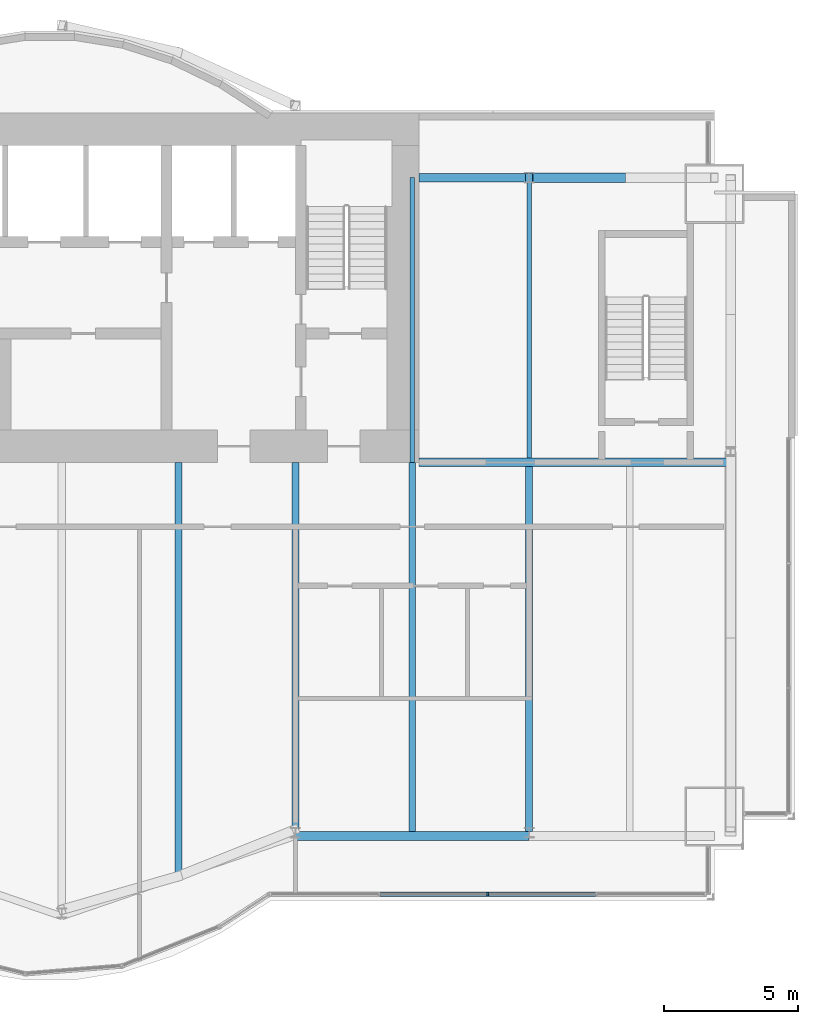
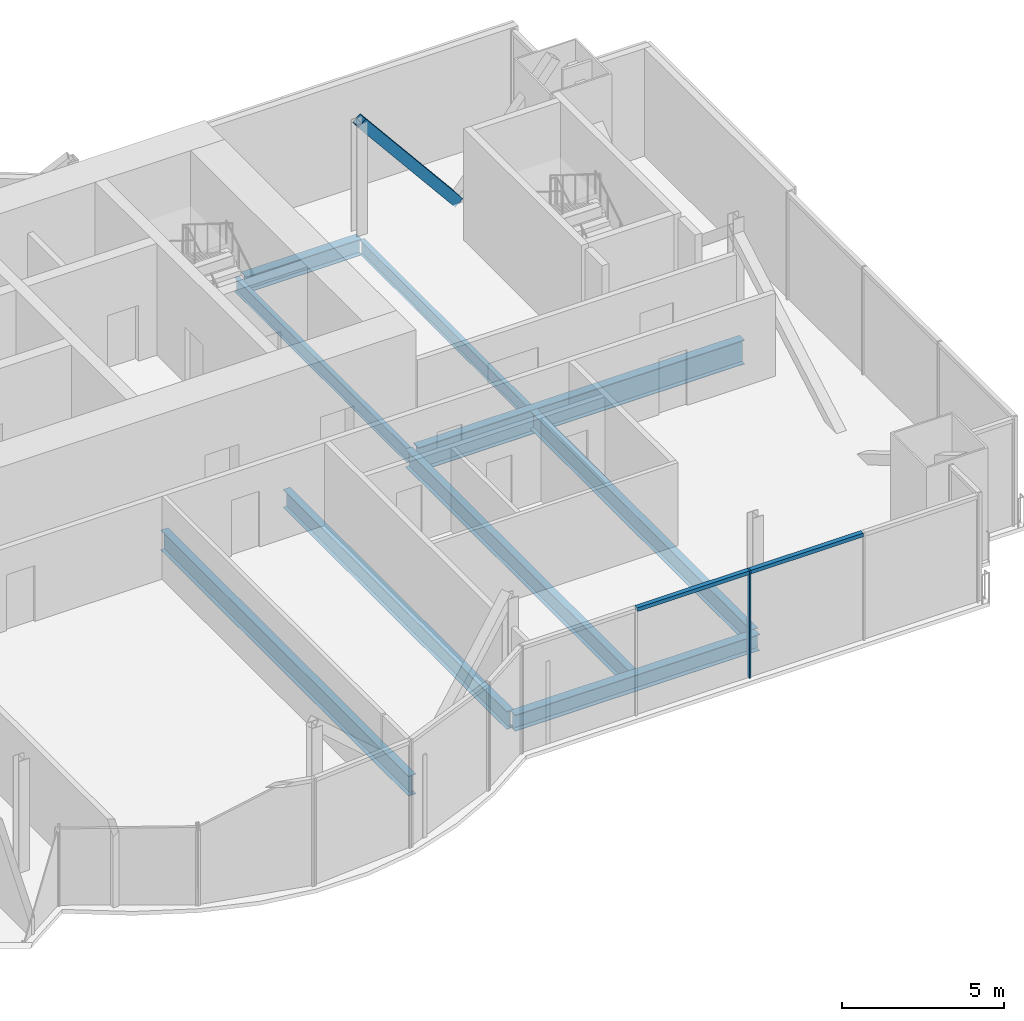
# One storey, part 9 of 19: 9 beams, 4 members, 1 element without a shape of its own.
"""IFC4 building model written with IfcOpenShell, lengths in metres."""

from ifc_helpers import new_model, si_unit, direction, frame, origin, origin_2d, place, context, subcontext, project, spatial, rectangle, hollow_rectangle, i_section, extrude, material, material_profile, profile_set, type_object, element, aggregate, save


model = new_model("IFC4")

# Units and contexts
model_context = context("Model", 3, precision=1e-05, world=origin(), true_north=direction((0.0, 1.0)))
body_context = subcontext(model_context, "Body", "Model", "MODEL_VIEW")
ifc_project = project(units=[si_unit("LENGTHUNIT", "METRE"), si_unit("AREAUNIT", "SQUARE_METRE"), si_unit("VOLUMEUNIT", "CUBIC_METRE"), si_unit("PLANEANGLEUNIT", "RADIAN"), si_unit("MASSUNIT", "GRAM", prefix="KILO")], contexts=[model_context])

# Site, building, storey
site_placement = place(None, origin())
site = spatial("IfcSite", under=ifc_project, at=site_placement, CompositionType="ELEMENT")
building_placement = place(site_placement, origin())
building = spatial("IfcBuilding", under=site, at=building_placement, Name="Bicima Exchange Tower", CompositionType="ELEMENT")
storey_placement = place(building_placement, frame((0.0, 0.0, 258.199951171875)))
storey = spatial("IfcBuildingStorey", under=building, at=storey_placement, Name="L58", CompositionType="ELEMENT", Elevation=258.199951171875)

# Beams
ifc_material_1 = material(Name="Steel ASTM A992 Gr 50", Category="steel")
ifc_material_profile_1 = material_profile(ifc_material_1, i_section(OverallWidth=0.3046875, OverallDepth=0.911865234375, WebThickness=0.015869140625, FlangeThickness=0.02392578125, at=origin_2d()))
ifc_profile_set_1 = profile_set([ifc_material_profile_1], Name="Steel ASTM A992 Gr 50")
beam_type_1 = type_object("IfcBeamType", Name="Core-line girder W36x150", PredefinedType="BEAM", material=ifc_profile_set_1)
beam_1_placement = place(storey_placement, frame((22.0, -13.0, -0.60595703125), z_axis=(1.0, 0.0, 0.0), x_axis=(0.0, 1.0, 0.0)))
element("IfcBeam", 1, at=beam_1_placement, inside=storey, type_object=beam_type_1, Name="Core-line girder", PredefinedType="BEAM", context=body_context, shape_type="SweptSolid", body=[
    extrude(i_section(OverallWidth=0.3046875, OverallDepth=0.911865234375, WebThickness=0.015869140625, FlangeThickness=0.02392578125, at=origin_2d()), origin(), (0.0, 0.0, 1.0), 11.60009765625),
])
ifc_material_profile_2 = material_profile(ifc_material_1, i_section(OverallWidth=0.165771484375, OverallDepth=0.5283203125, WebThickness=0.009765625, FlangeThickness=0.013671875, at=origin_2d()))
ifc_profile_set_2 = profile_set([ifc_material_profile_2], Name="Steel ASTM A992 Gr 50")
beam_type_2 = type_object("IfcBeamType", Name="Floor beam W21x50", PredefinedType="JOIST", material=ifc_profile_set_2)
beam_2_placement = place(storey_placement, frame((21.75, -2.39990234375, -0.4140625), z_axis=(0.0, -1.0, 0.0), x_axis=(1.0, 0.0, 0.0)))
element("IfcBeam", 2, at=beam_2_placement, inside=storey, type_object=beam_type_2, Name="Floor beam", PredefinedType="JOIST", context=body_context, shape_type="SweptSolid", body=[
    extrude(i_section(OverallWidth=0.165771484375, OverallDepth=0.5283203125, WebThickness=0.009765625, FlangeThickness=0.013671875, at=origin_2d()), origin(), (0.0, 0.0, 1.0), 10.60009765625),
])
beam_3_placement = place(storey_placement, frame((26.10009765625, -2.5625, -0.4140625), z_axis=(0.0, -1.0, 0.0), x_axis=(1.0, 0.0, 0.0)))
element("IfcBeam", 3, at=beam_3_placement, inside=storey, type_object=beam_type_2, Name="Floor beam", PredefinedType="JOIST", context=body_context, shape_type="SweptSolid", body=[
    extrude(i_section(OverallWidth=0.165771484375, OverallDepth=0.5283203125, WebThickness=0.009765625, FlangeThickness=0.013671875, at=origin_2d()), origin(), (0.0, 0.0, 1.0), 10.28515625),
])
ifc_material_profile_3 = material_profile(ifc_material_1, i_section(OverallWidth=0.25390625, OverallDepth=0.67822265625, WebThickness=0.01171875, FlangeThickness=0.016357421875, at=origin_2d()))
ifc_profile_set_3 = profile_set([ifc_material_profile_3], Name="Steel ASTM A992 Gr 50")
beam_type_3 = type_object("IfcBeamType", Name="Floor beam W27x84", PredefinedType="JOIST", material=ifc_profile_set_3)
beam_4_placement = place(storey_placement, frame((17.39990234375, -13.0, -0.489013671875), z_axis=(0.0, -1.0, 0.0), x_axis=(1.0, 0.0, 0.0)))
element("IfcBeam", 4, at=beam_4_placement, inside=storey, type_object=beam_type_3, Name="Floor beam", PredefinedType="JOIST", context=body_context, shape_type="SweptSolid", body=[
    extrude(i_section(OverallWidth=0.25390625, OverallDepth=0.67822265625, WebThickness=0.01171875, FlangeThickness=0.016357421875, at=origin_2d()), origin(), (0.0, 0.0, 1.0), 13.7763671875),
])
beam_5_placement = place(storey_placement, frame((21.75, -13.0, -0.489013671875), z_axis=(0.0, -1.0, 0.0), x_axis=(1.0, 0.0, 0.0)))
element("IfcBeam", 5, at=beam_5_placement, inside=storey, type_object=beam_type_3, Name="Floor beam", PredefinedType="JOIST", context=body_context, shape_type="SweptSolid", body=[
    extrude(i_section(OverallWidth=0.25390625, OverallDepth=0.67822265625, WebThickness=0.01171875, FlangeThickness=0.016357421875, at=origin_2d()), origin(), (0.0, 0.0, 1.0), 13.74951171875),
])
beam_6_placement = place(storey_placement, frame((26.10009765625, -13.15234375, -0.489013671875), z_axis=(0.0, -1.0, 0.0), x_axis=(1.0, 0.0, 0.0)))
element("IfcBeam", 6, at=beam_6_placement, inside=storey, type_object=beam_type_3, Name="Floor beam", PredefinedType="JOIST", context=body_context, shape_type="SweptSolid", body=[
    extrude(i_section(OverallWidth=0.25390625, OverallDepth=0.67822265625, WebThickness=0.01171875, FlangeThickness=0.016357421875, at=origin_2d()), origin(), (0.0, 0.0, 1.0), 13.59716796875),
])
ifc_material_profile_4 = material_profile(ifc_material_1, i_section(OverallWidth=0.2666015625, OverallDepth=0.75439453125, WebThickness=0.01318359375, FlangeThickness=0.01708984375, at=origin_2d()))
ifc_profile_set_4 = profile_set([ifc_material_profile_4], Name="Steel ASTM A992 Gr 50")
beam_type_4 = type_object("IfcBeamType", Name="Floor beam W30x99", PredefinedType="JOIST", material=ifc_profile_set_4)
beam_7_placement = place(storey_placement, frame((13.050048828125, -13.0, -0.527099609375), z_axis=(0.0, -1.0, 0.0), x_axis=(1.0, 0.0, 0.0)))
element("IfcBeam", 7, at=beam_7_placement, inside=storey, type_object=beam_type_4, Name="Floor beam", PredefinedType="JOIST", context=body_context, shape_type="SweptSolid", body=[
    extrude(i_section(OverallWidth=0.2666015625, OverallDepth=0.75439453125, WebThickness=0.01318359375, FlangeThickness=0.01708984375, at=origin_2d()), origin(), (0.0, 0.0, 1.0), 15.27197265625),
])
ifc_material_profile_5 = material_profile(ifc_material_1, i_section(OverallWidth=0.3251953125, OverallDepth=0.612060546875, WebThickness=0.0126953125, FlangeThickness=0.01904296875, at=origin_2d()))
ifc_profile_set_5 = profile_set([ifc_material_profile_5], Name="Steel ASTM A992 Gr 50")
beam_type_5 = type_object("IfcBeamType", Name="Front girder W24x104", PredefinedType="BEAM", material=ifc_profile_set_5)
beam_8_placement = place(storey_placement, frame((17.39990234375, -26.912109375, -0.4560546875), z_axis=(1.0, 0.0, 0.0), x_axis=(0.0, 1.0, 0.0)))
element("IfcBeam", 8, at=beam_8_placement, inside=storey, type_object=beam_type_5, Name="Front girder", PredefinedType="BEAM", context=body_context, shape_type="SweptSolid", body=[
    extrude(i_section(OverallWidth=0.3251953125, OverallDepth=0.612060546875, WebThickness=0.0126953125, FlangeThickness=0.01904296875, at=origin_2d()), origin(), (0.0, 0.0, 1.0), 8.7001953125),
])

# Curtain wall, members
ifc_material_2 = material(Name="Anodised bronze aluminium", Category="aluminium")
curtain_wall_type = type_object("IfcCurtainWallType", Name="Front glass wall", PredefinedType="NOTDEFINED", material=ifc_material_2)
curtain_wall_placement = place(storey_placement, origin())
curtain_wall = element("IfcCurtainWall", 9, at=curtain_wall_placement, inside=storey, type_object=curtain_wall_type, Name="Front glass wall L58 run 16", PredefinedType="NOTDEFINED")
ifc_material_profile_6 = material_profile(ifc_material_2, rectangle(XDim=0.159912109375, YDim=0.06005859375, at=origin_2d()))
ifc_profile_set_6 = profile_set([ifc_material_profile_6], Name="Anodised bronze aluminium")
member_type_1 = type_object("IfcMemberType", Name="Front glass wall mullion 60 x 160", PredefinedType="MULLION", material=ifc_profile_set_6)
member_1_placement = place(storey_placement, frame((24.56103515625, -29.08203125, 0.0), z_axis=(0.0, 0.0, 1.0), x_axis=(0.0, 1.0, 0.0)))
member_1 = element("IfcMember", 10, at=member_1_placement, type_object=member_type_1, Name="Front glass wall mullion 3", PredefinedType="MULLION", context=body_context, shape_type="SweptSolid", body=[
    extrude(rectangle(XDim=0.159912109375, YDim=0.06005859375, at=origin_2d()), origin(), (0.0, 0.0, 1.0), 4.050048828125),
])
ifc_material_profile_7 = material_profile(ifc_material_2, rectangle(XDim=0.159912109375, YDim=0.139892578125, at=origin_2d()))
ifc_profile_set_7 = profile_set([ifc_material_profile_7], Name="Anodised bronze aluminium")
member_type_2 = type_object("IfcMemberType", Name="Front glass wall transom 140 x 160", PredefinedType="USERDEFINED", material=ifc_profile_set_7)
member_2_placement = place(storey_placement, frame((20.54150390625, -29.08203125, 3.97998046875), z_axis=(1.0, 0.0, 0.0), x_axis=(0.0, 1.0, 0.0)))
member_2 = element("IfcMember", 11, at=member_2_placement, type_object=member_type_2, Name="Front glass wall transom 2.1", ObjectType="TRANSOM", PredefinedType="USERDEFINED", context=body_context, shape_type="SweptSolid", body=[
    extrude(rectangle(XDim=0.159912109375, YDim=0.139892578125, at=origin_2d()), origin(), (0.0, 0.0, 1.0), 3.989501953125),
])
member_3_placement = place(storey_placement, frame((24.591064453125, -29.08203125, 3.97998046875), z_axis=(1.0, 0.0, 0.0), x_axis=(0.0, 1.0, 0.0)))
member_3 = element("IfcMember", 12, at=member_3_placement, type_object=member_type_2, Name="Front glass wall transom 3.1", ObjectType="TRANSOM", PredefinedType="USERDEFINED", context=body_context, shape_type="SweptSolid", body=[
    extrude(rectangle(XDim=0.159912109375, YDim=0.139892578125, at=origin_2d()), origin(), (0.0, 0.0, 1.0), 3.989501953125),
])
aggregate(curtain_wall, [member_1, member_2, member_3])

# Member
ifc_material_3 = material(Name="Steel ASTM A572 Gr 50", Category="steel")
ifc_material_profile_8 = material_profile(ifc_material_3, hollow_rectangle(XDim=0.355712890625, YDim=0.355712890625, WallThickness=0.0146484375, at=origin_2d()))
ifc_profile_set_8 = profile_set([ifc_material_profile_8], Name="Steel ASTM A572 Gr 50")
member_type_3 = type_object("IfcMemberType", Name="Mega brace HSS14x14x5/8", PredefinedType="BRACE", material=ifc_profile_set_8)
member_4_placement = place(storey_placement, frame((29.550048828125, -2.39990234375, 0.0), z_axis=(-0.63473846547, 0.0, 0.772727041362), x_axis=(0.0, -1.0, 0.0)))
element("IfcMember", 13, at=member_4_placement, inside=storey, type_object=member_type_3, Name="Mega brace rear", PredefinedType="BRACE", context=body_context, shape_type="SweptSolid", body=[
    extrude(hollow_rectangle(XDim=0.355712890625, YDim=0.355712890625, WallThickness=0.0146484375, at=origin_2d()), origin(), (0.0, 0.0, 1.0), 5.435302734375),
])

# Beam
beam_type_6 = type_object("IfcBeamType", Name="Rear girder W24x104", PredefinedType="BEAM", material=ifc_profile_set_5)
beam_9_placement = place(storey_placement, frame((22.0, -2.39990234375, -0.4560546875), z_axis=(1.0, 0.0, 0.0), x_axis=(0.0, 1.0, 0.0)))
element("IfcBeam", 14, at=beam_9_placement, inside=storey, type_object=beam_type_6, Name="Rear girder", PredefinedType="BEAM", context=body_context, shape_type="SweptSolid", body=[
    extrude(i_section(OverallWidth=0.3251953125, OverallDepth=0.612060546875, WebThickness=0.0126953125, FlangeThickness=0.01904296875, at=origin_2d()), origin(), (0.0, 0.0, 1.0), 4.10009765625),
])

save(model, "model.ifc")
